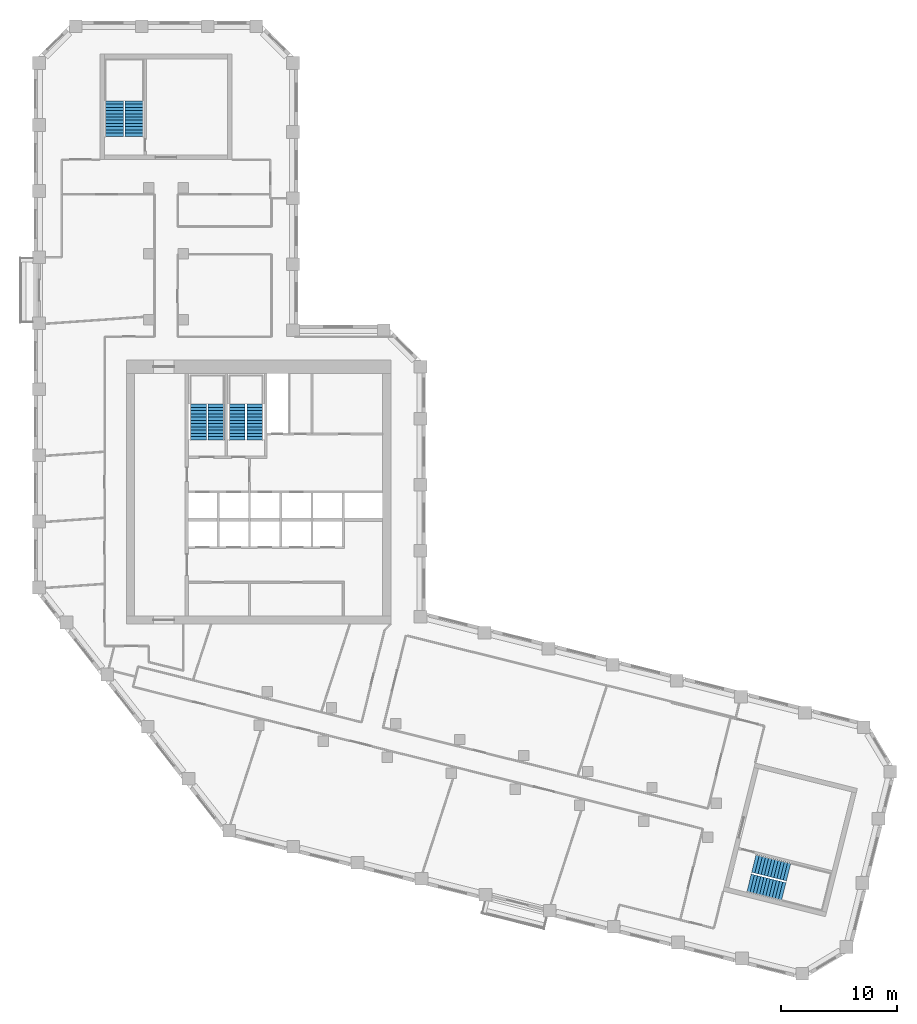
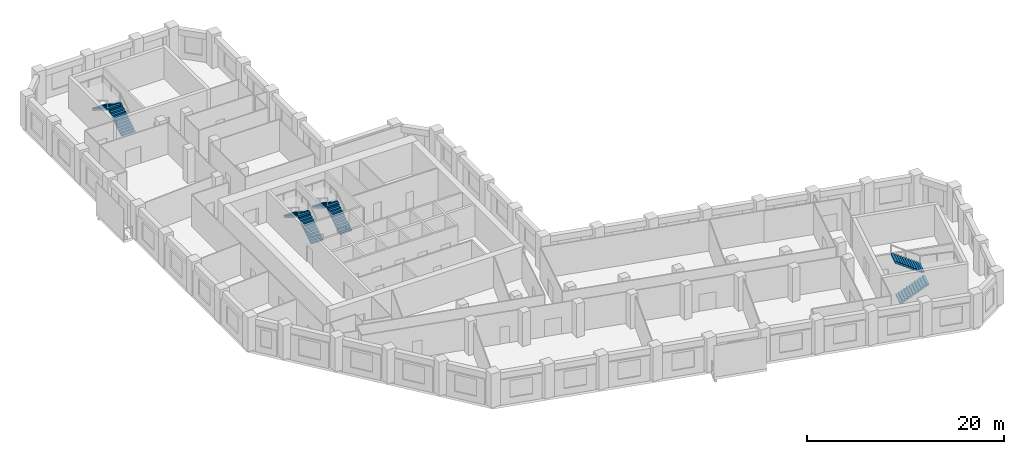
# One storey, part 9 of 10: 8 stair flights, 4 elements without a shape of their own.
"""IFC4 building model written with IfcOpenShell, lengths in metres."""

import ifcopenshell
import ifcopenshell.guid

model = None  # the IFC model being written
_history = None  # IfcOwnerHistory: only IFC2X3 demands one
_inside = {}  # id of a spatial element -> (the spatial element, [elements in it])
_under = {}  # id of a project, library or spatial element -> (it, [spatial elements below it])
_declared = {}  # id of a project -> (the project, [libraries it declares])
_typed = {}  # id of a type object -> (the type object, [elements of that type])
_made_of = {}  # id of a material, layer set ... -> (it, [elements and type objects made of it])


def new_model(schema):
    """Start an empty IFC model of exactly this schema.

    Asked for "IFC4X3", IfcOpenShell would pick the latest addendum, in which some entities
    have other attributes; the version numbers below select the first issue.
    IFC2X3 requires an IfcOwnerHistory on every rooted entity: one is made here for all.
    """
    global model, _history
    if schema == "IFC4X3":
        model = ifcopenshell.file(schema_version=(4, 3, 0, 0))
    else:
        model = ifcopenshell.file(schema=schema)
    _inside.clear()
    _under.clear()
    _declared.clear()
    _typed.clear()
    _made_of.clear()
    _history = None
    if model.schema == "IFC2X3":
        org = make("IfcOrganization", Name="unknown")
        user = make(
            "IfcPersonAndOrganization",
            ThePerson=make("IfcPerson", FamilyName="unknown"),
            TheOrganization=org,
        )
        app = make(
            "IfcApplication",
            ApplicationDeveloper=org,
            Version="unknown",
            ApplicationFullName="unknown",
            ApplicationIdentifier="unknown",
        )
        _history = make(
            "IfcOwnerHistory",
            OwningUser=user,
            OwningApplication=app,
            ChangeAction="ADDED",
            CreationDate=0,
        )
    return model


def make(cls, **values):
    """One entity of the class cls with the attributes given. An attribute that is None is left unset."""
    return model.create_entity(
        cls, **{name: value for name, value in values.items() if value is not None}
    )


def rooted(cls, **values):
    """An entity with a GlobalId (a new one), such as an element, a storey or a relation."""
    return make(cls, GlobalId=ifcopenshell.guid.new(), OwnerHistory=_history, **values)


def si_unit(unit_type, name, prefix=None):
    """IfcSIUnit, for example si_unit("LENGTHUNIT", "METRE", prefix="MILLI")."""
    return make("IfcSIUnit", UnitType=unit_type, Prefix=prefix, Name=name)


def assignment(units):
    """IfcUnitAssignment: the units of a project."""
    return None if units is None else make("IfcUnitAssignment", Units=units)


def point(xyz):
    """IfcCartesianPoint."""
    return None if xyz is None else make("IfcCartesianPoint", Coordinates=xyz)


def direction(xyz):
    """IfcDirection."""
    return None if xyz is None else make("IfcDirection", DirectionRatios=xyz)


def frame(location, z_axis=None, x_axis=None):
    """IfcAxis2Placement3D, a coordinate frame: its origin and axes. An axis left out is left unset."""
    return make(
        "IfcAxis2Placement3D",
        Location=point(location),
        Axis=direction(z_axis),
        RefDirection=direction(x_axis),
    )


def origin():
    """The frame at (0, 0, 0) with its axes left unset."""
    return frame((0.0, 0.0, 0.0))


def place(relative_to, where):
    """IfcLocalPlacement: puts the frame where relative to a parent placement (None: the world)."""
    return make(
        "IfcLocalPlacement", PlacementRelTo=relative_to, RelativePlacement=where
    )


def context(
    kind, dimensions, precision=None, world=None, true_north=None, identifier=None
):
    """IfcGeometricRepresentationContext, for example the 3D "Model" context."""
    return make(
        "IfcGeometricRepresentationContext",
        ContextIdentifier=identifier,
        ContextType=kind,
        CoordinateSpaceDimension=dimensions,
        Precision=precision,
        WorldCoordinateSystem=world,
        TrueNorth=true_north,
    )


def subcontext(parent, identifier, kind, view, scale=None):
    """IfcGeometricRepresentationSubContext, for example "Body" below "Model"."""
    return make(
        "IfcGeometricRepresentationSubContext",
        ContextIdentifier=identifier,
        ContextType=kind,
        ParentContext=parent,
        TargetScale=scale,
        TargetView=view,
    )


def project(units=None, contexts=None):
    """IfcProject with its units and contexts."""
    return rooted(
        "IfcProject",
        Name="project",
        RepresentationContexts=contexts,
        UnitsInContext=assignment(units),
    )


def spatial(cls, under=None, at=None, **own):
    """A site, building, storey or space (cls), placed at a placement, below another one or the project."""
    s = rooted(cls, ObjectPlacement=at, **own)
    if under is not None:
        _under.setdefault(under.id(), (under, []))[1].append(s)
    return s


def polyline(points):
    """IfcPolyline through the points."""
    return make("IfcPolyline", Points=[point(p) for p in points])


def outline(outer, holes=None, kind="AREA"):
    """IfcArbitraryClosedProfileDef: a profile drawn as a closed curve; with holes, ...WithVoids."""
    if holes is None:
        return make("IfcArbitraryClosedProfileDef", ProfileType=kind, OuterCurve=outer)
    return make(
        "IfcArbitraryProfileDefWithVoids",
        ProfileType=kind,
        OuterCurve=outer,
        InnerCurves=holes,
    )


def extrude(swept, where, along, depth):
    """IfcExtrudedAreaSolid: the profile swept, set in the frame where, extruded along a direction by depth."""
    return make(
        "IfcExtrudedAreaSolid",
        SweptArea=swept,
        Position=where,
        ExtrudedDirection=direction(along),
        Depth=depth,
    )


def shape(context_of_items, identifier, shape_type, items):
    """IfcShapeRepresentation: the items that make up one representation, for example the "Body"."""
    return make(
        "IfcShapeRepresentation",
        ContextOfItems=context_of_items,
        RepresentationIdentifier=identifier,
        RepresentationType=shape_type,
        Items=items,
    )


def material(Name=None, Category=None):
    """IfcMaterial."""
    return make("IfcMaterial", Name=Name, Category=Category)


def made_of(thing, what):
    """Note that an element or type object is made of a material, layer set ...; save() writes the relation."""
    if what is not None:
        _made_of.setdefault(what.id(), (what, []))[1].append(thing)
    return thing


def type_object(cls, material=None, **own):
    """A type object (cls), such as IfcWallType, which elements share."""
    return made_of(rooted(cls, **own), material)


def element(
    cls,
    number,
    at=None,
    inside=None,
    cuts=None,
    type_object=None,
    material=None,
    context=None,
    identifier="Body",
    shape_type=None,
    held_by="IfcProductDefinitionShape",
    body=None,
    shapes=None,
    **own,
):
    """One element of the class cls, such as IfcWall. Its Tag is "e" and its number.

    at: its placement. inside: the storey or other place that contains it. cuts: it is an
    opening in that element (IfcRelVoidsElement). A single representation is given by context,
    identifier, shape_type and body (its items); several are given by shapes. held_by: the class
    of the entity that holds the representations. save() writes the other relations.
    """
    e = rooted(cls, Tag="e%d" % number, ObjectPlacement=at, **own)
    if body is not None:
        shapes = [shape(context, identifier, shape_type, body)]
    if shapes is not None:
        e.Representation = make(held_by, Representations=shapes)
    if inside is not None:
        _inside.setdefault(inside.id(), (inside, []))[1].append(e)
    if cuts is not None:
        rooted(
            "IfcRelVoidsElement", RelatingBuildingElement=cuts, RelatedOpeningElement=e
        )
    if type_object is not None:
        _typed.setdefault(type_object.id(), (type_object, []))[1].append(e)
    return made_of(e, material)


def aggregate(whole, parts):
    """IfcRelAggregates: a whole, such as a stair, and the parts it consists of."""
    return rooted("IfcRelAggregates", RelatingObject=whole, RelatedObjects=parts)


def save(model, path):
    """Write the relations noted so far, then the file.

    IfcRelAggregates (storeys below a building ...), IfcRelContainedInSpatialStructure (elements
    in a storey), IfcRelDefinesByType, IfcRelAssociatesMaterial and IfcRelDeclares: one each for
    every whole, place, type object, material and project.
    """
    for whole, parts in _under.values():
        aggregate(whole, parts)
    for where, things in _inside.values():
        rooted(
            "IfcRelContainedInSpatialStructure",
            RelatedElements=things,
            RelatingStructure=where,
        )
    for kind, things in _typed.values():
        rooted("IfcRelDefinesByType", RelatedObjects=things, RelatingType=kind)
    for what, things in _made_of.values():
        rooted("IfcRelAssociatesMaterial", RelatedObjects=things, RelatingMaterial=what)
    for by, libraries in _declared.values():
        rooted("IfcRelDeclares", RelatingContext=by, RelatedDefinitions=libraries)
    model.write(path)


model = new_model("IFC4")

# Units and contexts
model_context = context("Model", 3, precision=1e-05, world=origin(), true_north=direction((0.0, 1.0)))
body_context = subcontext(model_context, "Body", "Model", "MODEL_VIEW")
ifc_project = project(units=[si_unit("LENGTHUNIT", "METRE"), si_unit("AREAUNIT", "SQUARE_METRE"), si_unit("VOLUMEUNIT", "CUBIC_METRE"), si_unit("PLANEANGLEUNIT", "RADIAN"), si_unit("MASSUNIT", "GRAM", prefix="KILO")], contexts=[model_context])

# Site, building, storey
site_placement = place(None, origin())
site = spatial("IfcSite", under=ifc_project, at=site_placement, CompositionType="ELEMENT")
building_placement = place(site_placement, origin())
building = spatial("IfcBuilding", under=site, at=building_placement, Name="Meshkara Civic Tower", CompositionType="ELEMENT")
storey_placement = place(building_placement, frame((0.0, 0.0, 238.199951171875)))
storey = spatial("IfcBuildingStorey", under=building, at=storey_placement, Name="L54", CompositionType="ELEMENT", Elevation=238.199951171875)

# Stair, stair flights
ifc_material_1 = material(Name="Precast concrete C40/50", Category="concrete")
stair_type_1 = type_object("IfcStairType", Name="Exit stair half-turn 24 risers 1600 precast", PredefinedType="HALF_TURN_STAIR", material=ifc_material_1)
stair_1_placement = place(storey_placement, origin())
stair_1 = element("IfcStair", 1, at=stair_1_placement, inside=storey, type_object=stair_type_1, Name="L54 exit stair A from L50", PredefinedType="HALF_TURN_STAIR")
ifc_material_2 = material(Name="Precast concrete C40/50", Category="concrete")
stair_flight_type_1 = type_object("IfcStairFlightType", Name="Exit stair flight 12 risers 1600 precast", PredefinedType="STRAIGHT", material=ifc_material_2)
stair_flight_1_placement = place(storey_placement, frame((8.675048828125, 56.169921875, 0.0), z_axis=(0.0, 0.0, 1.0), x_axis=(0.0, 1.0, 0.0)))
stair_flight_1 = element("IfcStairFlight", 2, at=stair_flight_1_placement, type_object=stair_flight_type_1, Name="ESA4 flight 1", NumberOfRisers=12, NumberOfTreads=11, PredefinedType="STRAIGHT", RiserHeight=0.175, TreadLength=0.28, context=body_context, shape_type="SweptSolid", body=[
    extrude(outline(polyline([(0.0, 0.0), (0.0, 0.175048828125), (0.280029296875, 0.175048828125), (0.280029296875, 0.35009765625), (0.56005859375, 0.35009765625), (0.56005859375, 0.52490234375), (0.840087890625, 0.52490234375), (0.840087890625, 0.699951171875), (1.1201171875, 0.699951171875), (1.1201171875, 0.875), (1.39990234375, 0.875), (1.39990234375, 1.050048828125), (1.679931640625, 1.050048828125), (1.679931640625, 1.22509765625), (1.9599609375, 1.22509765625), (1.9599609375, 1.39990234375), (2.239990234375, 1.39990234375), (2.239990234375, 1.574951171875), (2.52001953125, 1.574951171875), (2.52001953125, 1.75), (2.800048828125, 1.75), (2.800048828125, 1.925048828125), (3.080078125, 1.925048828125), (3.080078125, 2.10009765625), (3.080078125, 1.748291015625), (0.28271484375, 0.0), (0.0, 0.0)])), frame((0.0, 0.800048828125, 0.0), z_axis=(0.0, -1.0, 0.0), x_axis=(1.0, 0.0, 0.0)), (0.0, 0.0, 1.0), 1.60009765625),
])
stair_flight_2_placement = place(storey_placement, frame((6.925048828125, 59.25, 2.10009765625), z_axis=(0.0, 0.0, 1.0), x_axis=(0.0, -1.0, 0.0)))
stair_flight_2 = element("IfcStairFlight", 3, at=stair_flight_2_placement, type_object=stair_flight_type_1, Name="ESA4 flight 2", NumberOfRisers=12, NumberOfTreads=11, PredefinedType="STRAIGHT", RiserHeight=0.175, TreadLength=0.28, context=body_context, shape_type="SweptSolid", body=[
    extrude(outline(polyline([(0.0, 0.0), (0.0, 0.175048828125), (0.280029296875, 0.175048828125), (0.280029296875, 0.35009765625), (0.56005859375, 0.35009765625), (0.56005859375, 0.52490234375), (0.840087890625, 0.52490234375), (0.840087890625, 0.699951171875), (1.1201171875, 0.699951171875), (1.1201171875, 0.875), (1.39990234375, 0.875), (1.39990234375, 1.050048828125), (1.679931640625, 1.050048828125), (1.679931640625, 1.22509765625), (1.9599609375, 1.22509765625), (1.9599609375, 1.39990234375), (2.239990234375, 1.39990234375), (2.239990234375, 1.574951171875), (2.52001953125, 1.574951171875), (2.52001953125, 1.75), (2.800048828125, 1.75), (2.800048828125, 1.925048828125), (3.080078125, 1.925048828125), (3.080078125, 2.10009765625), (3.080078125, 1.748291015625), (0.28271484375, 0.0), (0.0, 0.0)])), frame((0.0, 0.800048828125, 0.0), z_axis=(0.0, -1.0, 0.0), x_axis=(1.0, 0.0, 0.0)), (0.0, 0.0, 1.0), 1.60009765625),
])
aggregate(stair_1, [stair_flight_1, stair_flight_2])

stair_2_placement = place(storey_placement, origin())
stair_2 = element("IfcStair", 4, at=stair_2_placement, inside=storey, type_object=stair_type_1, Name="L54 exit stair B from L50", PredefinedType="HALF_TURN_STAIR")
stair_flight_3_placement = place(storey_placement, frame((61.70751953125, -8.248291015625, 0.0), z_axis=(0.0, 0.0, 1.0), x_axis=(0.970260066579, -0.242064873955, 0.0)))
stair_flight_3 = element("IfcStairFlight", 5, at=stair_flight_3_placement, type_object=stair_flight_type_1, Name="ESB4 flight 1", NumberOfRisers=12, NumberOfTreads=11, PredefinedType="STRAIGHT", RiserHeight=0.175, TreadLength=0.28, context=body_context, shape_type="SweptSolid", body=[
    extrude(outline(polyline([(0.0, 0.0), (0.0, 0.175048828125), (0.280029296875, 0.175048828125), (0.280029296875, 0.35009765625), (0.56005859375, 0.35009765625), (0.56005859375, 0.52490234375), (0.840087890625, 0.52490234375), (0.840087890625, 0.699951171875), (1.1201171875, 0.699951171875), (1.1201171875, 0.875), (1.39990234375, 0.875), (1.39990234375, 1.050048828125), (1.679931640625, 1.050048828125), (1.679931640625, 1.22509765625), (1.9599609375, 1.22509765625), (1.9599609375, 1.39990234375), (2.239990234375, 1.39990234375), (2.239990234375, 1.574951171875), (2.52001953125, 1.574951171875), (2.52001953125, 1.75), (2.800048828125, 1.75), (2.800048828125, 1.925048828125), (3.080078125, 1.925048828125), (3.080078125, 2.10009765625), (3.080078125, 1.748291015625), (0.28271484375, 0.0), (0.0, 0.0)])), frame((0.0, 0.800048828125, 0.0), z_axis=(0.0, -1.0, 0.0), x_axis=(1.0, 0.0, 0.0)), (0.0, 0.0, 1.0), 1.60009765625),
])
stair_flight_4_placement = place(storey_placement, frame((65.11962890625, -7.2958984375, 2.10009765625), z_axis=(0.0, 0.0, 1.0), x_axis=(-0.970260066579, 0.242064873955, 0.0)))
stair_flight_4 = element("IfcStairFlight", 6, at=stair_flight_4_placement, type_object=stair_flight_type_1, Name="ESB4 flight 2", NumberOfRisers=12, NumberOfTreads=11, PredefinedType="STRAIGHT", RiserHeight=0.175, TreadLength=0.28, context=body_context, shape_type="SweptSolid", body=[
    extrude(outline(polyline([(0.0, 0.0), (0.0, 0.175048828125), (0.280029296875, 0.175048828125), (0.280029296875, 0.35009765625), (0.56005859375, 0.35009765625), (0.56005859375, 0.52490234375), (0.840087890625, 0.52490234375), (0.840087890625, 0.699951171875), (1.1201171875, 0.699951171875), (1.1201171875, 0.875), (1.39990234375, 0.875), (1.39990234375, 1.050048828125), (1.679931640625, 1.050048828125), (1.679931640625, 1.22509765625), (1.9599609375, 1.22509765625), (1.9599609375, 1.39990234375), (2.239990234375, 1.39990234375), (2.239990234375, 1.574951171875), (2.52001953125, 1.574951171875), (2.52001953125, 1.75), (2.800048828125, 1.75), (2.800048828125, 1.925048828125), (3.080078125, 1.925048828125), (3.080078125, 2.10009765625), (3.080078125, 1.748291015625), (0.28271484375, 0.0), (0.0, 0.0)])), frame((0.0, 0.800048828125, 0.0), z_axis=(0.0, -1.0, 0.0), x_axis=(1.0, 0.0, 0.0)), (0.0, 0.0, 1.0), 1.60009765625),
])
aggregate(stair_2, [stair_flight_3, stair_flight_4])

ifc_material_3 = material(Name="Precast concrete C40/50", Category="concrete")
stair_type_2 = type_object("IfcStairType", Name="Exit stair half-turn 24 risers precast", PredefinedType="HALF_TURN_STAIR", material=ifc_material_3)
stair_3_placement = place(storey_placement, origin())
stair_3 = element("IfcStair", 7, at=stair_3_placement, inside=storey, type_object=stair_type_2, Name="L54 exit stair 1", PredefinedType="HALF_TURN_STAIR")
ifc_material_4 = material(Name="Precast concrete C40/50", Category="concrete")
stair_flight_type_2 = type_object("IfcStairFlightType", Name="Exit stair flight 12 risers precast", PredefinedType="STRAIGHT", material=ifc_material_4)
stair_flight_5_placement = place(storey_placement, frame((15.72509765625, 30.0, 0.0), z_axis=(0.0, 0.0, 1.0), x_axis=(0.0, 1.0, 0.0)))
stair_flight_5 = element("IfcStairFlight", 8, at=stair_flight_5_placement, type_object=stair_flight_type_2, Name="ST1 flight 1", NumberOfRisers=12, NumberOfTreads=11, PredefinedType="STRAIGHT", RiserHeight=0.175, TreadLength=0.28, context=body_context, shape_type="SweptSolid", body=[
    extrude(outline(polyline([(0.0, 0.0), (0.0, 0.175048828125), (0.280029296875, 0.175048828125), (0.280029296875, 0.35009765625), (0.56005859375, 0.35009765625), (0.56005859375, 0.52490234375), (0.840087890625, 0.52490234375), (0.840087890625, 0.699951171875), (1.1201171875, 0.699951171875), (1.1201171875, 0.875), (1.39990234375, 0.875), (1.39990234375, 1.050048828125), (1.679931640625, 1.050048828125), (1.679931640625, 1.22509765625), (1.9599609375, 1.22509765625), (1.9599609375, 1.39990234375), (2.239990234375, 1.39990234375), (2.239990234375, 1.574951171875), (2.52001953125, 1.574951171875), (2.52001953125, 1.75), (2.800048828125, 1.75), (2.800048828125, 1.925048828125), (3.080078125, 1.925048828125), (3.080078125, 2.10009765625), (3.080078125, 1.748291015625), (0.28271484375, 0.0), (0.0, 0.0)])), frame((0.0, 0.699951171875, 0.0), z_axis=(0.0, -1.0, 0.0), x_axis=(1.0, 0.0, 0.0)), (0.0, 0.0, 1.0), 1.39990234375),
])
stair_flight_6_placement = place(storey_placement, frame((14.175048828125, 33.080078125, 2.10009765625), z_axis=(0.0, 0.0, 1.0), x_axis=(0.0, -1.0, 0.0)))
stair_flight_6 = element("IfcStairFlight", 9, at=stair_flight_6_placement, type_object=stair_flight_type_2, Name="ST1 flight 2", NumberOfRisers=12, NumberOfTreads=11, PredefinedType="STRAIGHT", RiserHeight=0.175, TreadLength=0.28, context=body_context, shape_type="SweptSolid", body=[
    extrude(outline(polyline([(0.0, 0.0), (0.0, 0.175048828125), (0.280029296875, 0.175048828125), (0.280029296875, 0.35009765625), (0.56005859375, 0.35009765625), (0.56005859375, 0.52490234375), (0.840087890625, 0.52490234375), (0.840087890625, 0.699951171875), (1.1201171875, 0.699951171875), (1.1201171875, 0.875), (1.39990234375, 0.875), (1.39990234375, 1.050048828125), (1.679931640625, 1.050048828125), (1.679931640625, 1.22509765625), (1.9599609375, 1.22509765625), (1.9599609375, 1.39990234375), (2.239990234375, 1.39990234375), (2.239990234375, 1.574951171875), (2.52001953125, 1.574951171875), (2.52001953125, 1.75), (2.800048828125, 1.75), (2.800048828125, 1.925048828125), (3.080078125, 1.925048828125), (3.080078125, 2.10009765625), (3.080078125, 1.748291015625), (0.28271484375, 0.0), (0.0, 0.0)])), frame((0.0, 0.699951171875, 0.0), z_axis=(0.0, -1.0, 0.0), x_axis=(1.0, 0.0, 0.0)), (0.0, 0.0, 1.0), 1.39990234375),
])
aggregate(stair_3, [stair_flight_5, stair_flight_6])

stair_4_placement = place(storey_placement, origin())
stair_4 = element("IfcStair", 10, at=stair_4_placement, inside=storey, type_object=stair_type_2, Name="L54 exit stair 2", PredefinedType="HALF_TURN_STAIR")
stair_flight_7_placement = place(storey_placement, frame((19.074951171875, 30.0, 0.0), z_axis=(0.0, 0.0, 1.0), x_axis=(0.0, 1.0, 0.0)))
stair_flight_7 = element("IfcStairFlight", 11, at=stair_flight_7_placement, type_object=stair_flight_type_2, Name="ST2 flight 1", NumberOfRisers=12, NumberOfTreads=11, PredefinedType="STRAIGHT", RiserHeight=0.175, TreadLength=0.28, context=body_context, shape_type="SweptSolid", body=[
    extrude(outline(polyline([(0.0, 0.0), (0.0, 0.175048828125), (0.280029296875, 0.175048828125), (0.280029296875, 0.35009765625), (0.56005859375, 0.35009765625), (0.56005859375, 0.52490234375), (0.840087890625, 0.52490234375), (0.840087890625, 0.699951171875), (1.1201171875, 0.699951171875), (1.1201171875, 0.875), (1.39990234375, 0.875), (1.39990234375, 1.050048828125), (1.679931640625, 1.050048828125), (1.679931640625, 1.22509765625), (1.9599609375, 1.22509765625), (1.9599609375, 1.39990234375), (2.239990234375, 1.39990234375), (2.239990234375, 1.574951171875), (2.52001953125, 1.574951171875), (2.52001953125, 1.75), (2.800048828125, 1.75), (2.800048828125, 1.925048828125), (3.080078125, 1.925048828125), (3.080078125, 2.10009765625), (3.080078125, 1.748291015625), (0.28271484375, 0.0), (0.0, 0.0)])), frame((0.0, 0.699951171875, 0.0), z_axis=(0.0, -1.0, 0.0), x_axis=(1.0, 0.0, 0.0)), (0.0, 0.0, 1.0), 1.39990234375),
])
stair_flight_8_placement = place(storey_placement, frame((17.52490234375, 33.080078125, 2.10009765625), z_axis=(0.0, 0.0, 1.0), x_axis=(0.0, -1.0, 0.0)))
stair_flight_8 = element("IfcStairFlight", 12, at=stair_flight_8_placement, type_object=stair_flight_type_2, Name="ST2 flight 2", NumberOfRisers=12, NumberOfTreads=11, PredefinedType="STRAIGHT", RiserHeight=0.175, TreadLength=0.28, context=body_context, shape_type="SweptSolid", body=[
    extrude(outline(polyline([(0.0, 0.0), (0.0, 0.175048828125), (0.280029296875, 0.175048828125), (0.280029296875, 0.35009765625), (0.56005859375, 0.35009765625), (0.56005859375, 0.52490234375), (0.840087890625, 0.52490234375), (0.840087890625, 0.699951171875), (1.1201171875, 0.699951171875), (1.1201171875, 0.875), (1.39990234375, 0.875), (1.39990234375, 1.050048828125), (1.679931640625, 1.050048828125), (1.679931640625, 1.22509765625), (1.9599609375, 1.22509765625), (1.9599609375, 1.39990234375), (2.239990234375, 1.39990234375), (2.239990234375, 1.574951171875), (2.52001953125, 1.574951171875), (2.52001953125, 1.75), (2.800048828125, 1.75), (2.800048828125, 1.925048828125), (3.080078125, 1.925048828125), (3.080078125, 2.10009765625), (3.080078125, 1.748291015625), (0.28271484375, 0.0), (0.0, 0.0)])), frame((0.0, 0.699951171875, 0.0), z_axis=(0.0, -1.0, 0.0), x_axis=(1.0, 0.0, 0.0)), (0.0, 0.0, 1.0), 1.39990234375),
])
aggregate(stair_4, [stair_flight_7, stair_flight_8])

save(model, "model.ifc")
